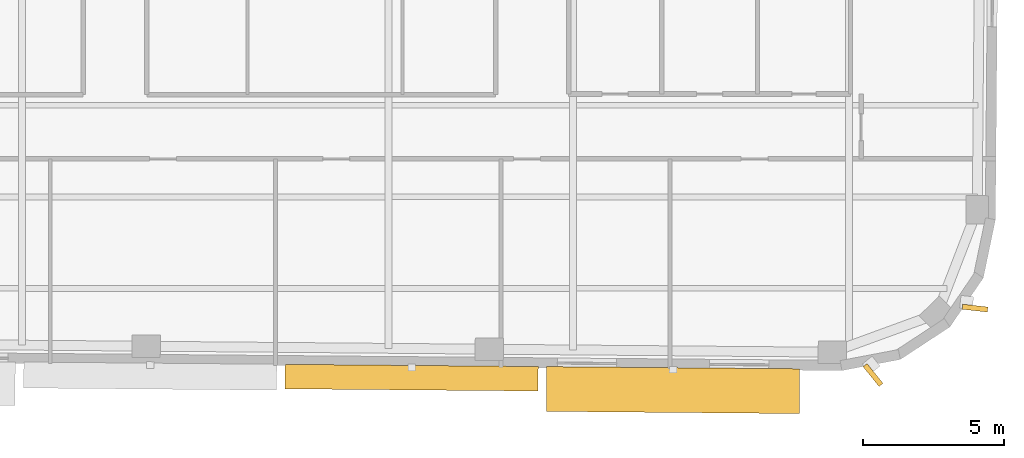
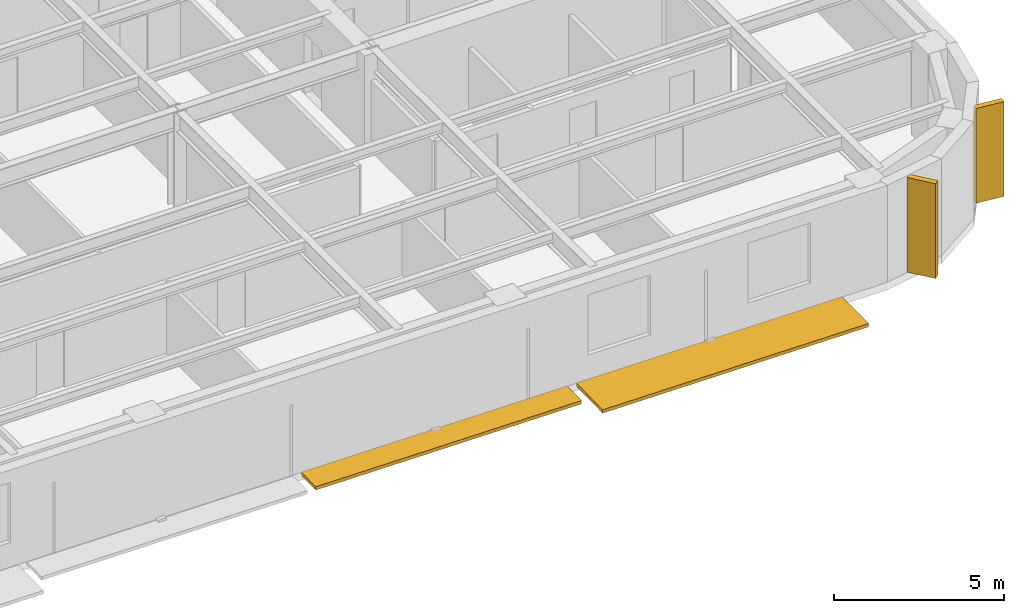
# One storey, part 10 of 12: 4 shading devices.
"""IFC4 building model written with IfcOpenShell, lengths in metres."""

from ifc_helpers import new_model, si_unit, direction, frame, origin, origin_2d, place, context, subcontext, project, spatial, rectangle, extrude, material, type_object, element, save


model = new_model("IFC4")

# Units and contexts
model_context = context("Model", 3, precision=1e-05, world=origin(), true_north=direction((0.0, 1.0)))
body_context = subcontext(model_context, "Body", "Model", "MODEL_VIEW")
ifc_project = project(units=[si_unit("LENGTHUNIT", "METRE"), si_unit("AREAUNIT", "SQUARE_METRE"), si_unit("VOLUMEUNIT", "CUBIC_METRE"), si_unit("PLANEANGLEUNIT", "RADIAN"), si_unit("MASSUNIT", "GRAM", prefix="KILO")], contexts=[model_context])

# Site, building, storey
site_placement = place(None, origin())
site = spatial("IfcSite", under=ifc_project, at=site_placement, CompositionType="ELEMENT")
building_placement = place(site_placement, origin())
building = spatial("IfcBuilding", under=site, at=building_placement, Name="Kolvaren Arena Tower", CompositionType="ELEMENT")
storey_placement = place(building_placement, frame((0.0, 0.0, 199.699951171875)))
storey = spatial("IfcBuildingStorey", under=building, at=storey_placement, Name="L48", CompositionType="ELEMENT", Elevation=199.699951171875)

# Shading devices
ifc_material_1 = material(Name="Precast architectural concrete C50/60 rib fin", Category="concrete")
shading_device_type_1 = type_object("IfcShadingDeviceType", Name="SHAD-FIN-28", PredefinedType="USERDEFINED", material=ifc_material_1)
for number, where, z_axis, x_axis, name in (
    (1, (61.2021484375, 5.427978515625, 0.02001953125), (0.0, 0.0, 1.0), (0.625923472184, -0.779884483093, 0.0), "Precast 28-Deg Corner Rib Fin (L48)"),
    (2, (64.822509765625, 7.8017578125, 0.02001953125), (0.0, 0.0, 1.0), (0.994056908234, -0.108861669984, 0.0), "Precast 28-Deg Corner Rib Fin (L48)"),
):
    element("IfcShadingDevice", number, at=place(storey_placement, frame(where, z_axis=z_axis, x_axis=x_axis)), inside=storey, type_object=shading_device_type_1, Name=name, ObjectType="FIN", PredefinedType="USERDEFINED", context=body_context, shape_type="SweptSolid", body=[
        extrude(rectangle(XDim=0.89990234375, YDim=0.179931640625, at=origin_2d()), origin(), (0.0, 0.0, 1.0), 3.39990234375),
    ])
ifc_material_2 = material(Name="Architectural precast GFRC and anodised aluminium sunshade", Category="concrete")
shading_device_type_2 = type_object("IfcShadingDeviceType", Name="SHAD-SINE-A", PredefinedType="USERDEFINED", material=ifc_material_2)
shading_device_1_placement = place(storey_placement, frame((44.827392578125, 5.33349609375, -0.139892578125), z_axis=(0.0, 0.0, 1.0), x_axis=(-0.999961923064, 0.008726535498, 0.0)))
element("IfcShadingDevice", 3, at=shading_device_1_placement, inside=storey, type_object=shading_device_type_2, Name="Sinusoidal Slab-Edge Sunshade Louvre (L48)", ObjectType="LOUVRE", PredefinedType="USERDEFINED", context=body_context, shape_type="SweptSolid", body=[
    extrude(rectangle(XDim=8.97998046875, YDim=0.8701171875, at=origin_2d()), origin(), (0.0, 0.0, 1.0), 0.1201171875),
])
shading_device_type_3 = type_object("IfcShadingDeviceType", Name="SHAD-SINE-B", PredefinedType="JALOUSIE", material=ifc_material_2)
shading_device_2_placement = place(storey_placement, frame((54.103759765625, 4.892822265625, -0.139892578125), z_axis=(0.0, 0.0, 1.0), x_axis=(-0.999961923064, 0.008726535498, 0.0)))
element("IfcShadingDevice", 4, at=shading_device_2_placement, inside=storey, type_object=shading_device_type_3, Name="Sinusoidal Slab-Edge Sunshade Louvre (L48)", PredefinedType="JALOUSIE", context=body_context, shape_type="SweptSolid", body=[
    extrude(rectangle(XDim=8.97998046875, YDim=1.589599609375, at=origin_2d()), origin(), (0.0, 0.0, 1.0), 0.1201171875),
])

save(model, "model.ifc")
